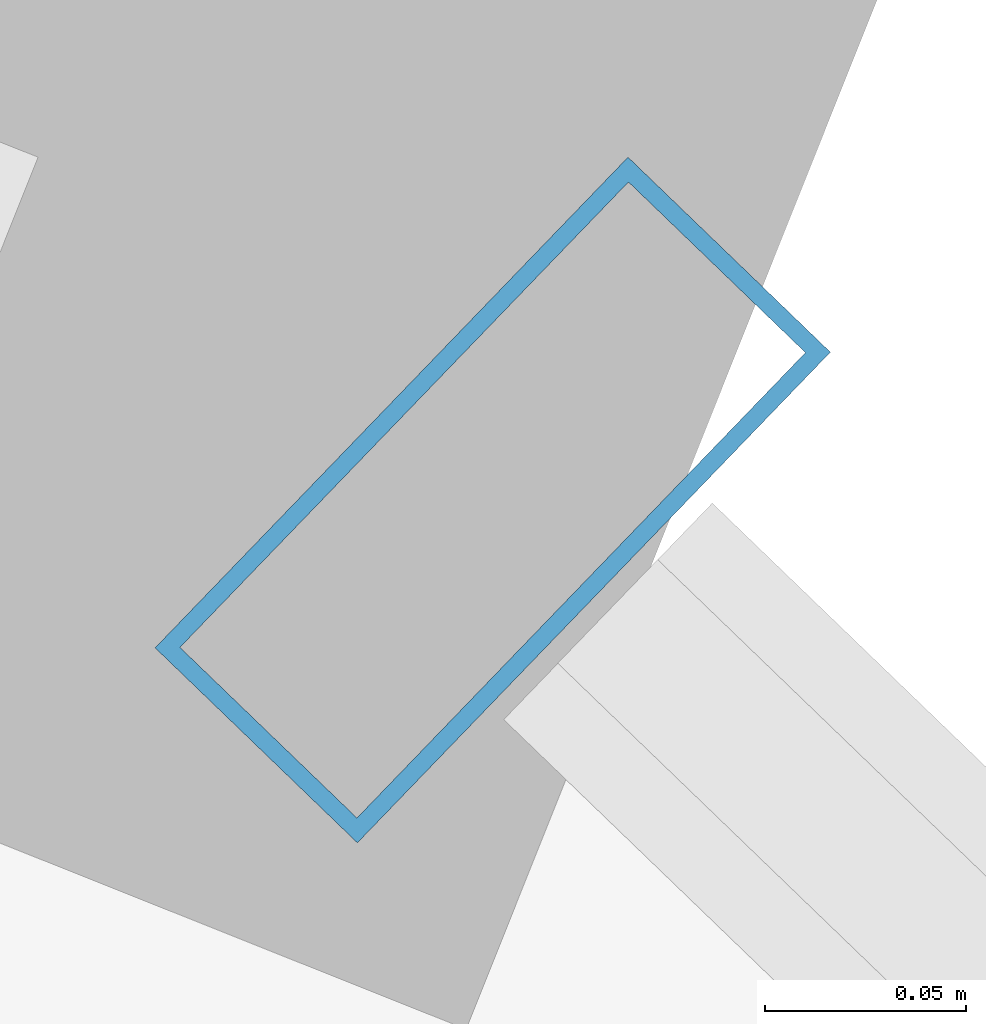
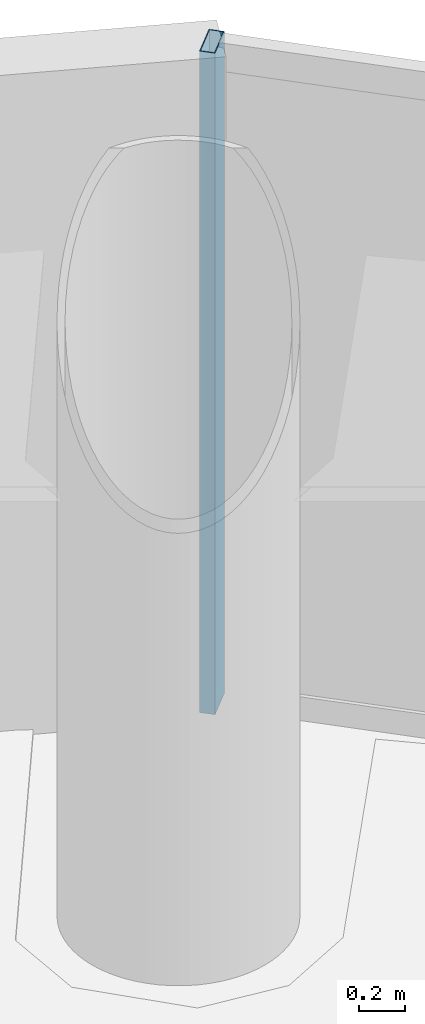
# One storey, part 16 of 24: 1 member, 1 element without a shape of its own.
"""IFC4 building model written with IfcOpenShell, lengths in metres."""

from ifc_helpers import new_model, si_unit, direction, frame, origin, origin_2d, place, context, subcontext, project, spatial, hollow_rectangle, extrude, source, transform, mapped, material, material_profile, profile_set, type_object, element, aggregate, save


model = new_model("IFC4")

# Units and contexts
model_context = context("Model", 3, precision=1e-05, world=origin(), true_north=direction((-0.2419218956, 0.970295726276)))
body_context = subcontext(model_context, "Body", "Model", "MODEL_VIEW")
ifc_project = project(units=[si_unit("LENGTHUNIT", "METRE"), si_unit("AREAUNIT", "SQUARE_METRE"), si_unit("VOLUMEUNIT", "CUBIC_METRE"), si_unit("PLANEANGLEUNIT", "RADIAN"), si_unit("MASSUNIT", "GRAM", prefix="KILO")], contexts=[model_context])

# Site, building, storey
site_placement = place(None, origin())
site = spatial("IfcSite", under=ifc_project, at=site_placement, CompositionType="ELEMENT")
building_placement = place(site_placement, origin())
building = spatial("IfcBuilding", under=site, at=building_placement, Name="Cobrevalo Terracotta Tower", CompositionType="ELEMENT")
storey_placement = place(building_placement, frame((0.0, 0.0, 274.449951171875)))
storey = spatial("IfcBuildingStorey", under=building, at=storey_placement, Name="L72", CompositionType="ELEMENT", Elevation=274.449951171875)

# Curtain wall, member
ifc_material = material(Name="Anodized aluminium", Category="aluminium")
curtain_wall_type = type_object("IfcCurtainWallType", Name="Upper-tower triple-glazed penthouse curtain wall CW-U3", PredefinedType="NOTDEFINED", material=ifc_material)
curtain_wall_placement = place(storey_placement, origin())
curtain_wall = element("IfcCurtainWall", 1, at=curtain_wall_placement, inside=storey, type_object=curtain_wall_type, Name="L72 curtain wall CW-L72-S02", PredefinedType="NOTDEFINED")
ifc_material_profile = material_profile(ifc_material, hollow_rectangle(XDim=0.070068359375, YDim=0.169921875, WallThickness=0.00439453125, at=origin_2d()), Name="CWM 70x170")
ifc_profile_set = profile_set([ifc_material_profile], Name="Anodized aluminium")
member_type = type_object("IfcMemberType", Name="Upper tower unitised mullion 70x170", PredefinedType="MULLION", material=ifc_profile_set)
shared_shape = source(origin(), body_context, "Body", "SweptSolid", [
    extrude(hollow_rectangle(XDim=0.070068359375, YDim=0.169921875, WallThickness=0.00439453125, at=origin_2d()), origin(), (0.0, 0.0, 1.0), 3.489990234375),
])
member_placement = place(storey_placement, frame((48.790283203125, 42.2958984375, 0.0), z_axis=(0.0, 0.0, 1.0), x_axis=(-0.71999418085, 0.69398010025, 0.0)))
member = element("IfcMember", 2, at=member_placement, type_object=member_type, Name="CW-L72-S02 vertical mullion 03", PredefinedType="MULLION", context=body_context, shape_type="MappedRepresentation", body=[
    mapped(shared_shape, transform((0.0, 0.0, 0.0), scale=1.0)),
])
aggregate(curtain_wall, [member])

save(model, "model.ifc")
